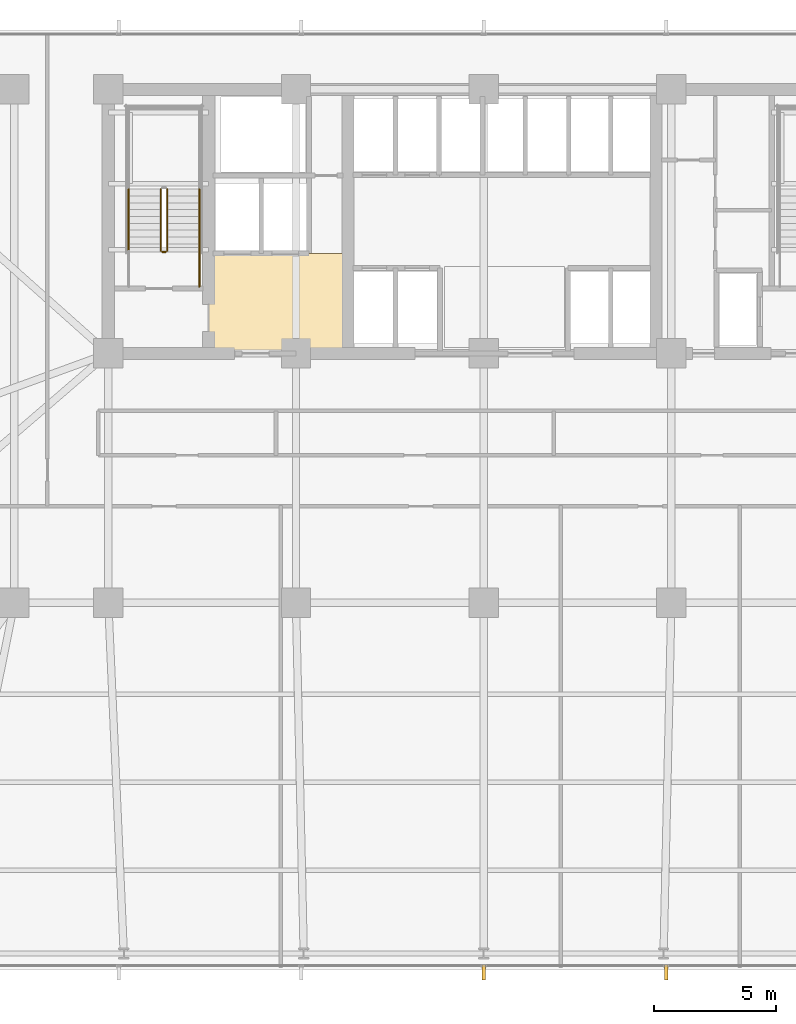
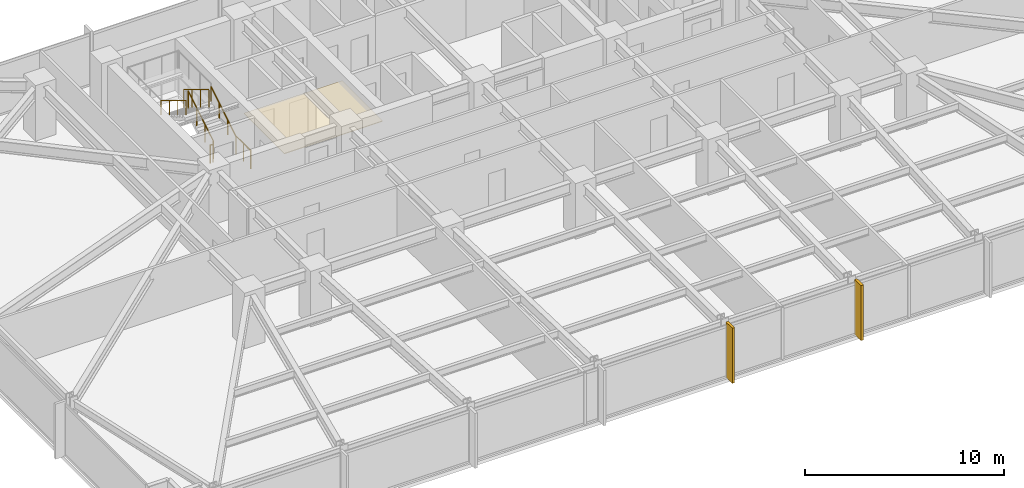
# One storey, part 28 of 33: 6 railings, 2 shading devices, 1 covering.
"""IFC4 building model written with IfcOpenShell, lengths in metres."""

from ifc_helpers import new_model, si_unit, direction, frame, origin, origin_2d, place, context, subcontext, project, spatial, polyline, rectangle, circle, outline, extrude, material, layer, layer_set, type_object, element, save


model = new_model("IFC4")

# Units and contexts
model_context = context("Model", 3, precision=1e-05, world=origin(), true_north=direction((0.0, 1.0)))
body_context = subcontext(model_context, "Body", "Model", "MODEL_VIEW")
ifc_project = project(units=[si_unit("LENGTHUNIT", "METRE"), si_unit("AREAUNIT", "SQUARE_METRE"), si_unit("VOLUMEUNIT", "CUBIC_METRE"), si_unit("PLANEANGLEUNIT", "RADIAN"), si_unit("MASSUNIT", "GRAM", prefix="KILO")], contexts=[model_context])

# Site, building, storey
site_placement = place(None, origin())
site = spatial("IfcSite", under=ifc_project, at=site_placement, CompositionType="ELEMENT")
building_placement = place(site_placement, origin())
building = spatial("IfcBuilding", under=site, at=building_placement, Name="Yelkora Congress Tower", CompositionType="ELEMENT")
storey_placement = place(building_placement, frame((0.0, 0.0, 64.39990234375)))
storey = spatial("IfcBuildingStorey", under=building, at=storey_placement, Name="L16", CompositionType="ELEMENT", Elevation=64.39990234375)

# Covering
ifc_material_1 = material(Name="Perforated mineral-fibre acoustic ceiling", Category="gypsum")
ifc_layer_1 = layer(ifc_material_1, 0.0400390625)
ifc_layer_set_1 = layer_set([ifc_layer_1], Name="Perforated mineral-fibre acoustic ceiling")
covering_type = type_object("IfcCoveringType", Name="COV-CEIL-ACOUSTIC-40", PredefinedType="CEILING", material=ifc_layer_set_1)
covering_placement = place(storey_placement, frame((0.0, 0.0, 2.400146484375)))
element("IfcCovering", 1, at=covering_placement, inside=storey, type_object=covering_type, Name="L16 Firefighting Lobby Acoustic Ceiling", PredefinedType="CEILING", context=body_context, shape_type="SweptSolid", body=[
    extrude(outline(polyline([(27.14990234375, 35.39990234375), (32.85009765625, 35.39990234375), (32.85009765625, 39.47998046875), (27.14990234375, 39.47998046875), (27.14990234375, 35.39990234375)])), origin(), (0.0, 0.0, 1.0), 0.0400390625),
])

# Railings
ifc_material_2 = material(Name="Painted galvanised steel stair well guard with vertical infill", Category="steel")
ifc_layer_2 = layer(ifc_material_2, 0.06005859375)
ifc_layer_set_2 = layer_set([ifc_layer_2], Name="Painted galvanised steel stair well guard with vertical infill")
railing_type_1 = type_object("IfcRailingType", Name="RAIL-STAIR-GUARD-1120", PredefinedType="GUARDRAIL", material=ifc_layer_set_2)
railing_1_placement = place(storey_placement, frame((25.449951171875, 39.60009765625, 0.170166015625)))
element("IfcRailing", 2, at=railing_1_placement, inside=storey, type_object=railing_type_1, Name="ST-01 L16 Stair Well Guardrail 1", PredefinedType="GUARDRAIL", context=body_context, shape_type="SweptSolid", body=[
    extrude(circle(Radius=0.02392578125, at=origin_2d()), frame((0.0, 0.0, 1.09619140625), z_axis=(0.0, 0.85478489116, 0.518982456201), x_axis=(-1.0, 0.0, 0.0)), (0.0, 0.0, 1.0), 2.9482421875),
    extrude(circle(Radius=0.02099609375, at=origin_2d()), origin(), (0.0, 0.0, 1.0), 1.072021484375),
    extrude(circle(Radius=0.02099609375, at=origin_2d()), frame((0.0, 0.840087890625, 0.510009765625)), (0.0, 0.0, 1.0), 1.072021484375),
    extrude(circle(Radius=0.02099609375, at=origin_2d()), frame((0.0, 1.679931640625, 1.02001953125)), (0.0, 0.0, 1.0), 1.072021484375),
    extrude(circle(Radius=0.02099609375, at=origin_2d()), frame((0.0, 2.52001953125, 1.530029296875)), (0.0, 0.0, 1.0), 1.072021484375),
])
railing_2_placement = place(storey_placement, frame((25.18994140625, 42.1201171875, 1.8701171875)))
element("IfcRailing", 3, at=railing_2_placement, inside=storey, type_object=railing_type_1, Name="ST-01 L16 Stair Well Guardrail 6", PredefinedType="GUARDRAIL", context=body_context, shape_type="SweptSolid", body=[
    extrude(circle(Radius=0.02392578125, at=origin_2d()), frame((0.0, 0.0, 1.09619140625), z_axis=(0.0, -0.85478489116, 0.518982456201), x_axis=(1.0, 0.0, 0.0)), (0.0, 0.0, 1.0), 2.9482421875),
    extrude(circle(Radius=0.02099609375, at=origin_2d()), origin(), (0.0, 0.0, 1.0), 1.072021484375),
    extrude(circle(Radius=0.02099609375, at=origin_2d()), frame((0.0, -0.840087890625, 0.510009765625)), (0.0, 0.0, 1.0), 1.072021484375),
    extrude(circle(Radius=0.02099609375, at=origin_2d()), frame((0.0, -1.679931640625, 1.02001953125)), (0.0, 0.0, 1.0), 1.072021484375),
    extrude(circle(Radius=0.02099609375, at=origin_2d()), frame((0.0, -2.52001953125, 1.530029296875)), (0.0, 0.0, 1.0), 1.072021484375),
])
railing_3_placement = place(storey_placement, frame((25.39990234375, 39.550048828125, 0.0)))
element("IfcRailing", 4, at=railing_3_placement, inside=storey, type_object=railing_type_1, Name="ST-01 L16 Stair Well Guardrail 7", PredefinedType="GUARDRAIL", context=body_context, shape_type="SweptSolid", body=[
    extrude(circle(Radius=0.02392578125, at=origin_2d()), frame((0.0, 0.0, 1.09619140625), z_axis=(-1.0, 0.0, 0.0), x_axis=(0.0, -1.0, 0.0)), (0.0, 0.0, 1.0), 0.159912109375),
    extrude(circle(Radius=0.02099609375, at=origin_2d()), origin(), (0.0, 0.0, 1.0), 1.072021484375),
    extrude(circle(Radius=0.02099609375, at=origin_2d()), frame((-0.159912109375, 0.0, 0.0)), (0.0, 0.0, 1.0), 1.072021484375),
])
railing_4_placement = place(storey_placement, frame((26.77001953125, 38.1201171875, 0.0)))
element("IfcRailing", 5, at=railing_4_placement, inside=storey, type_object=railing_type_1, Name="ST-01 L16 Stair Well Guardrail 8", PredefinedType="GUARDRAIL", context=body_context, shape_type="SweptSolid", body=[
    extrude(circle(Radius=0.02392578125, at=origin_2d()), frame((0.0, 0.0, 1.09619140625), z_axis=(0.0, 1.0, 0.0), x_axis=(-1.0, 0.0, 0.0)), (0.0, 0.0, 1.0), 1.47998046875),
    extrude(circle(Radius=0.02099609375, at=origin_2d()), origin(), (0.0, 0.0, 1.0), 1.072021484375),
    extrude(circle(Radius=0.02099609375, at=origin_2d()), frame((0.0, 0.739990234375, 0.0)), (0.0, 0.0, 1.0), 1.072021484375),
    extrude(circle(Radius=0.02099609375, at=origin_2d()), frame((0.0, 1.47998046875, 0.0)), (0.0, 0.0, 1.0), 1.072021484375),
])
ifc_material_3 = material(Name="Brushed stainless steel tubular handrail", Category="steel")
ifc_layer_3 = layer(ifc_material_3, 0.050048828125)
ifc_layer_set_3 = layer_set([ifc_layer_3], Name="Brushed stainless steel tubular handrail")
railing_type_2 = type_object("IfcRailingType", Name="RAIL-STAIR-HAND-920", PredefinedType="HANDRAIL", material=ifc_layer_set_3)
railing_5_placement = place(storey_placement, frame((26.77001953125, 39.60009765625, 0.170166015625)))
element("IfcRailing", 6, at=railing_5_placement, inside=storey, type_object=railing_type_2, Name="ST-01 L16 Pitch Handrail 1", PredefinedType="HANDRAIL", context=body_context, shape_type="SweptSolid", body=[
    extrude(circle(Radius=0.02392578125, at=origin_2d()), frame((0.0, 0.0, 0.89599609375), z_axis=(0.0, 0.85478489116, 0.518982456201), x_axis=(-1.0, 0.0, 0.0)), (0.0, 0.0, 1.0), 2.9482421875),
    extrude(circle(Radius=0.02099609375, at=origin_2d()), origin(), (0.0, 0.0, 1.0), 0.871826171875),
    extrude(circle(Radius=0.02099609375, at=origin_2d()), frame((0.0, 0.840087890625, 0.510009765625)), (0.0, 0.0, 1.0), 0.871826171875),
    extrude(circle(Radius=0.02099609375, at=origin_2d()), frame((0.0, 1.679931640625, 1.02001953125)), (0.0, 0.0, 1.0), 0.871826171875),
    extrude(circle(Radius=0.02099609375, at=origin_2d()), frame((0.0, 2.52001953125, 1.530029296875)), (0.0, 0.0, 1.0), 0.871826171875),
])
railing_6_placement = place(storey_placement, frame((23.8701171875, 42.1201171875, 1.8701171875)))
element("IfcRailing", 7, at=railing_6_placement, inside=storey, type_object=railing_type_2, Name="ST-01 L16 Pitch Handrail 2", PredefinedType="HANDRAIL", context=body_context, shape_type="SweptSolid", body=[
    extrude(circle(Radius=0.02392578125, at=origin_2d()), frame((0.0, 0.0, 0.89599609375), z_axis=(0.0, -0.85478489116, 0.518982456201), x_axis=(1.0, 0.0, 0.0)), (0.0, 0.0, 1.0), 2.9482421875),
    extrude(circle(Radius=0.02099609375, at=origin_2d()), origin(), (0.0, 0.0, 1.0), 0.871826171875),
    extrude(circle(Radius=0.02099609375, at=origin_2d()), frame((0.0, -0.840087890625, 0.510009765625)), (0.0, 0.0, 1.0), 0.871826171875),
    extrude(circle(Radius=0.02099609375, at=origin_2d()), frame((0.0, -1.679931640625, 1.02001953125)), (0.0, 0.0, 1.0), 0.871826171875),
    extrude(circle(Radius=0.02099609375, at=origin_2d()), frame((0.0, -2.52001953125, 1.530029296875)), (0.0, 0.0, 1.0), 0.871826171875),
])

# Shading devices
ifc_material_4 = material(Name="Champagne anodised aluminium", Category="aluminium")
ifc_layer_4 = layer(ifc_material_4, 3.39990234375)
ifc_layer_set_4 = layer_set([ifc_layer_4], Name="Champagne anodised aluminium")
shading_device_type = type_object("IfcShadingDeviceType", Name="SHD-FIN-ALU-640", PredefinedType="USERDEFINED", material=ifc_layer_set_4)
for number, where, z_axis, x_axis, name in (
    (8, (45.864990234375, 10.080078125, -0.02978515625), (0.0, 0.0, 1.0), (-1.0, 0.0, 0.0), "L16 Vertical Anodised Solar Fin 20-3"),
    (9, (38.39990234375, 10.080078125, -0.02978515625), (0.0, 0.0, 1.0), (-1.0, 0.0, 0.0), "L16 Vertical Anodised Solar Fin 20-4"),
):
    element("IfcShadingDevice", number, at=place(storey_placement, frame(where, z_axis=z_axis, x_axis=x_axis)), inside=storey, type_object=shading_device_type, Name=name, ObjectType="FIN", PredefinedType="USERDEFINED", context=body_context, shape_type="SweptSolid", body=[
        extrude(rectangle(XDim=0.139892578125, YDim=0.639892578125, at=origin_2d()), origin(), (0.0, 0.0, 1.0), 3.3798828125),
    ])

save(model, "model.ifc")
